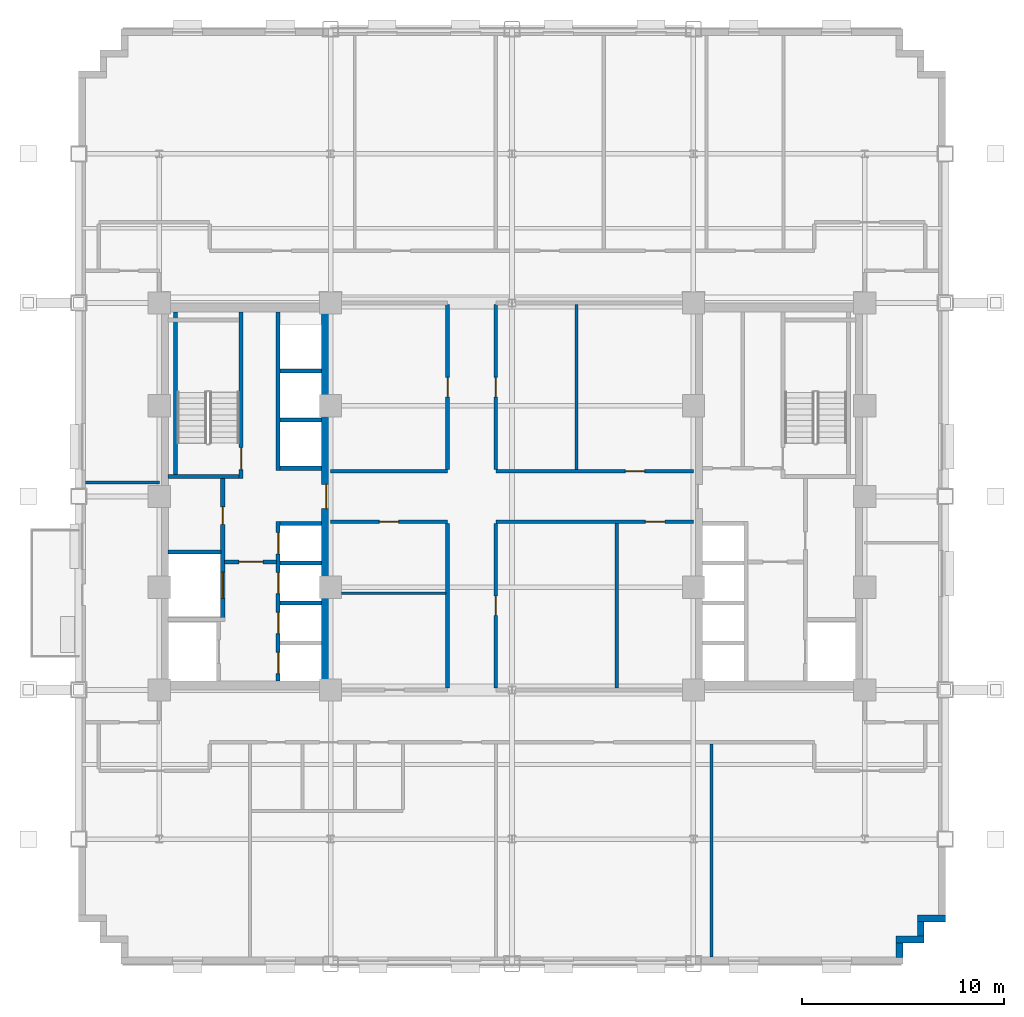
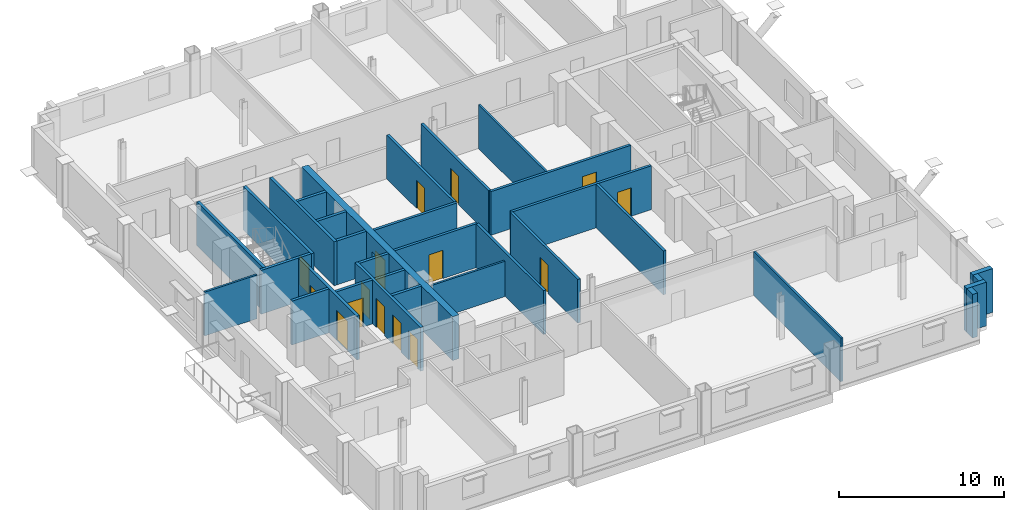
# One storey, part 7 of 13: 32 walls, 15 doors, 15 openings.
"""IFC4 building model written with IfcOpenShell, lengths in metres."""

from ifc_helpers import new_model, si_unit, direction, frame, frame_2d, origin, place, context, subcontext, project, spatial, rectangle, extrude, source, transform, mapped, material, layer, layer_set, type_object, type_shapes, element, fill, save


model = new_model("IFC4")

# Units and contexts
model_context = context("Model", 3, precision=1e-05, world=origin(), true_north=direction((0.0, 1.0)))
body_context = subcontext(model_context, "Body", "Model", "MODEL_VIEW")
ifc_project = project(units=[si_unit("LENGTHUNIT", "METRE"), si_unit("AREAUNIT", "SQUARE_METRE"), si_unit("VOLUMEUNIT", "CUBIC_METRE"), si_unit("PLANEANGLEUNIT", "RADIAN"), si_unit("MASSUNIT", "GRAM", prefix="KILO")], contexts=[model_context])

# Site, building, storey
site_placement = place(None, origin())
site = spatial("IfcSite", under=ifc_project, at=site_placement, CompositionType="ELEMENT")
building_placement = place(site_placement, origin())
building = spatial("IfcBuilding", under=site, at=building_placement, Name="Nuvemarco Arch Tower", CompositionType="ELEMENT")
storey_placement = place(building_placement, frame((0.0, 0.0, 82.35009765625)))
storey = spatial("IfcBuildingStorey", under=building, at=storey_placement, Name="L21", CompositionType="ELEMENT", Elevation=82.35009765625)

# Walls
ifc_material_1 = material(Name="Precast concrete C45/55", Category="concrete")
ifc_layer_1 = layer(ifc_material_1, 0.340087890625, Name="EW-LOW-340")
ifc_layer_set_1 = layer_set([ifc_layer_1], Name="Precast concrete C45/55")
wall_type_1 = type_object("IfcWallType", Name="EW-LOW-340", PredefinedType="STANDARD", material=ifc_layer_set_1)
wall_1_placement = place(storey_placement, frame((19.22998046875, -22.864013671875, 0.0), z_axis=(0.0, 0.0, 1.0), x_axis=(0.0, 1.0, 0.0)))
element("IfcWall", 1, at=wall_1_placement, inside=storey, type_object=wall_type_1, Name="L21 exterior precast facade wall 2", PredefinedType="STANDARD", context=body_context, shape_type="SweptSolid", body=[
    extrude(rectangle(XDim=0.718017578125, YDim=0.340087890625, at=frame_2d((0.35888671875, 0.0))), origin(), (0.0, 0.0, 1.0), 3.239990234375),
])
wall_2_placement = place(storey_placement, frame((19.06005859375, -21.97998046875, 0.0), z_axis=(0.0, 0.0, 1.0), x_axis=(1.0, 0.0, 0.0)))
element("IfcWall", 2, at=wall_2_placement, inside=storey, type_object=wall_type_1, Name="L21 exterior precast facade wall 3", PredefinedType="STANDARD", context=body_context, shape_type="SweptSolid", body=[
    extrude(rectangle(XDim=1.389892578125, YDim=0.340087890625, at=frame_2d((0.69482421875, 0.0))), origin(), (0.0, 0.0, 1.0), 3.239990234375),
])
wall_3_placement = place(storey_placement, frame((20.280029296875, -21.81396484375, 0.0), z_axis=(0.0, 0.0, 1.0), x_axis=(0.0, 1.0, 0.0)))
element("IfcWall", 3, at=wall_3_placement, inside=storey, type_object=wall_type_1, Name="L21 exterior precast facade wall 4", PredefinedType="STANDARD", context=body_context, shape_type="SweptSolid", body=[
    extrude(rectangle(XDim=0.718017578125, YDim=0.340087890625, at=frame_2d((0.35888671875, 0.0))), origin(), (0.0, 0.0, 1.0), 3.239990234375),
])
wall_4_placement = place(storey_placement, frame((20.110107421875, -20.929931640625, 0.0), z_axis=(0.0, 0.0, 1.0), x_axis=(1.0, 0.0, 0.0)))
element("IfcWall", 4, at=wall_4_placement, inside=storey, type_object=wall_type_1, Name="L21 exterior precast facade wall 5", PredefinedType="STANDARD", context=body_context, shape_type="SweptSolid", body=[
    extrude(rectangle(XDim=1.389892578125, YDim=0.340087890625, at=frame_2d((0.69482421875, 0.0))), origin(), (0.0, 0.0, 1.0), 3.239990234375),
])

# Wall, opening, door
ifc_material_2 = material(Name="Concrete C60/75", Category="concrete")
ifc_layer_2 = layer(ifc_material_2, 0.449951171875, Name="WL-CORE-450")
ifc_layer_set_2 = layer_set([ifc_layer_2], Name="Concrete C60/75")
wall_type_2 = type_object("IfcWallType", Name="WL-CORE-450", PredefinedType="SHEAR", material=ifc_layer_set_2)
wall_5_placement = place(storey_placement, frame((-9.22509765625, -9.155029296875, 0.0), z_axis=(0.0, 0.0, 1.0), x_axis=(0.0, 1.0, 0.0)))
wall_5 = element("IfcWall", 5, at=wall_5_placement, inside=storey, type_object=wall_type_2, Name="L21 W-core shear wall E", PredefinedType="SHEAR", context=body_context, shape_type="SweptSolid", body=[
    extrude(rectangle(XDim=18.31005859375, YDim=0.449951171875, at=frame_2d((9.155029296875, 0.0))), origin(), (0.0, 0.0, 1.0), 3.25),
])
opening_1_placement = place(wall_5_placement, frame((8.554931640625, 0.0, 0.0)))
opening_1 = element("IfcOpeningElement", 6, at=opening_1_placement, cuts=wall_5, Name="Opening FD-2", PredefinedType="OPENING", context=body_context, shape_type="SweptSolid", body=[
    extrude(rectangle(XDim=1.199951171875, YDim=2.14990234375, at=frame_2d((0.60009765625, 1.074951171875))), frame((0.0, 0.23486328125, 0.0), z_axis=(0.0, -1.0, 0.0), x_axis=(1.0, 0.0, 0.0)), (0.0, 0.0, 1.0), 0.469970703125),
])
ifc_material_3 = material(Name="Anodised steel fire door", Category="steel")
door_type_1 = type_object("IfcDoorType", Name="DR-FFLOB-FD", OperationType="NOTDEFINED", PredefinedType="DOOR", material=ifc_material_3)
shared_shape_1 = source(origin(), body_context, "Body", "SweptSolid", [
    extrude(rectangle(XDim=1.199951171875, YDim=2.14990234375, at=frame_2d((0.60009765625, 1.074951171875))), frame((0.0, 0.02490234375, 0.0), z_axis=(0.0, -1.0, 0.0), x_axis=(1.0, 0.0, 0.0)), (0.0, 0.0, 1.0), 0.050048828125),
])
type_shapes(door_type_1, [shared_shape_1])
door_1_placement = place(opening_1_placement, origin())
door_1 = element("IfcDoor", 7, at=door_1_placement, inside=storey, type_object=door_type_1, Name="L21 door FD-L21-WCORE-E", OperationType="SINGLE_SWING_LEFT", OverallHeight=2.14990234375, OverallWidth=1.199951171875, PredefinedType="DOOR", context=body_context, shape_type="MappedRepresentation", body=[
    mapped(shared_shape_1, transform((0.0, 0.0, 0.0), scale=1.0)),
])
fill(opening_1, door_1)

ifc_material_4 = material(Name="Fire-rated gypsum drywall partition")
ifc_layer_3 = layer(ifc_material_4, 0.179931640625, Name="WL-CORR-180")
ifc_layer_set_3 = layer_set([ifc_layer_3], Name="Fire-rated gypsum drywall partition")
wall_type_3 = type_object("IfcWallType", Name="WL-CORR-180", PredefinedType="PARTITIONING", material=ifc_layer_set_3)
wall_6_placement = place(storey_placement, frame((-9.0, -1.25, 0.0), z_axis=(0.0, 0.0, 1.0), x_axis=(1.0, 0.0, 0.0)))
wall_6 = element("IfcWall", 8, at=wall_6_placement, inside=storey, type_object=wall_type_3, Name="L21 interior wall IW-L21-012", PredefinedType="PARTITIONING", context=body_context, shape_type="SweptSolid", body=[
    extrude(rectangle(XDim=5.800048828125, YDim=0.179931640625, at=frame_2d((2.89990234375, 0.0))), origin(), (0.0, 0.0, 1.0), 3.239990234375),
])
opening_2_placement = place(wall_6_placement, frame((2.419921875, 0.0, 0.0)))
opening_2 = element("IfcOpeningElement", 9, at=opening_2_placement, cuts=wall_6, Name="Opening FD-5", PredefinedType="OPENING", context=body_context, shape_type="SweptSolid", body=[
    extrude(rectangle(XDim=0.9599609375, YDim=2.10009765625, at=frame_2d((0.47998046875, 1.050048828125))), frame((0.0, 0.099853515625, 0.0), z_axis=(0.0, -1.0, 0.0), x_axis=(1.0, 0.0, 0.0)), (0.0, 0.0, 1.0), 0.199951171875),
])
ifc_material_5 = material(Name="Timber fire door", Category="wood")
door_type_2 = type_object("IfcDoorType", Name="DR-CORR-FD", OperationType="NOTDEFINED", PredefinedType="DOOR", material=ifc_material_5)
shared_shape_2 = source(origin(), body_context, "Body", "SweptSolid", [
    extrude(rectangle(XDim=0.9599609375, YDim=2.10009765625, at=frame_2d((0.47998046875, 1.050048828125))), frame((0.0, 0.02490234375, 0.0), z_axis=(0.0, -1.0, 0.0), x_axis=(1.0, 0.0, 0.0)), (0.0, 0.0, 1.0), 0.050048828125),
])
type_shapes(door_type_2, [shared_shape_2])
door_2_placement = place(opening_2_placement, origin())
door_2 = element("IfcDoor", 10, at=door_2_placement, inside=storey, type_object=door_type_2, Name="L21 door DR-L21-C_SW1", OperationType="SINGLE_SWING_RIGHT", OverallHeight=2.10009765625, OverallWidth=0.9599609375, PredefinedType="DOOR", context=body_context, shape_type="MappedRepresentation", body=[
    mapped(shared_shape_2, transform((0.0, 0.0, 0.0), scale=1.0)),
])
fill(opening_2, door_2)

wall_7_placement = place(storey_placement, frame((-0.800048828125, -1.25, 0.0), z_axis=(0.0, 0.0, 1.0), x_axis=(1.0, 0.0, 0.0)))
wall_7 = element("IfcWall", 11, at=wall_7_placement, inside=storey, type_object=wall_type_3, Name="L21 interior wall IW-L21-013", PredefinedType="PARTITIONING", context=body_context, shape_type="SweptSolid", body=[
    extrude(rectangle(XDim=9.800048828125, YDim=0.179931640625, at=frame_2d((4.89990234375, 0.0))), origin(), (0.0, 0.0, 1.0), 3.239990234375),
])
opening_3_placement = place(wall_7_placement, frame((7.419921875, 0.0, 0.0)))
opening_3 = element("IfcOpeningElement", 12, at=opening_3_placement, cuts=wall_7, Name="Opening FD-5", PredefinedType="OPENING", context=body_context, shape_type="SweptSolid", body=[
    extrude(rectangle(XDim=0.9599609375, YDim=2.10009765625, at=frame_2d((0.47998046875, 1.050048828125))), frame((0.0, 0.099853515625, 0.0), z_axis=(0.0, -1.0, 0.0), x_axis=(1.0, 0.0, 0.0)), (0.0, 0.0, 1.0), 0.199951171875),
])
door_3_placement = place(opening_3_placement, origin())
door_3 = element("IfcDoor", 13, at=door_3_placement, inside=storey, type_object=door_type_2, Name="L21 door DR-L21-C_SE2", OperationType="SINGLE_SWING_RIGHT", OverallHeight=2.10009765625, OverallWidth=0.9599609375, PredefinedType="DOOR", context=body_context, shape_type="MappedRepresentation", body=[
    mapped(shared_shape_2, transform((0.0, 0.0, 0.0), scale=1.0)),
])
fill(opening_3, door_3)

# Wall
wall_8_placement = place(storey_placement, frame((-9.0, 1.25, 0.0), z_axis=(0.0, 0.0, 1.0), x_axis=(1.0, 0.0, 0.0)))
element("IfcWall", 14, at=wall_8_placement, inside=storey, type_object=wall_type_3, Name="L21 interior wall IW-L21-015", PredefinedType="PARTITIONING", context=body_context, shape_type="SweptSolid", body=[
    extrude(rectangle(XDim=5.800048828125, YDim=0.179931640625, at=frame_2d((2.89990234375, 0.0))), origin(), (0.0, 0.0, 1.0), 3.239990234375),
])

# Wall, opening, door
wall_9_placement = place(storey_placement, frame((-0.800048828125, 1.25, 0.0), z_axis=(0.0, 0.0, 1.0), x_axis=(1.0, 0.0, 0.0)))
wall_9 = element("IfcWall", 15, at=wall_9_placement, inside=storey, type_object=wall_type_3, Name="L21 interior wall IW-L21-016", PredefinedType="PARTITIONING", context=body_context, shape_type="SweptSolid", body=[
    extrude(rectangle(XDim=9.800048828125, YDim=0.179931640625, at=frame_2d((4.89990234375, 0.0))), origin(), (0.0, 0.0, 1.0), 3.239990234375),
])
opening_4_placement = place(wall_9_placement, frame((6.419921875, 0.0, 0.0)))
opening_4 = element("IfcOpeningElement", 16, at=opening_4_placement, cuts=wall_9, Name="Opening FD-5", PredefinedType="OPENING", context=body_context, shape_type="SweptSolid", body=[
    extrude(rectangle(XDim=0.9599609375, YDim=2.10009765625, at=frame_2d((0.47998046875, 1.050048828125))), frame((0.0, 0.099853515625, 0.0), z_axis=(0.0, -1.0, 0.0), x_axis=(1.0, 0.0, 0.0)), (0.0, 0.0, 1.0), 0.199951171875),
])
door_4_placement = place(opening_4_placement, origin())
door_4 = element("IfcDoor", 17, at=door_4_placement, inside=storey, type_object=door_type_2, Name="L21 door DR-L21-C_NE2", OperationType="SINGLE_SWING_LEFT", OverallHeight=2.10009765625, OverallWidth=0.9599609375, PredefinedType="DOOR", context=body_context, shape_type="MappedRepresentation", body=[
    mapped(shared_shape_2, transform((0.0, 0.0, 0.0), scale=1.0)),
])
fill(opening_4, door_4)

# Wall
wall_10_placement = place(storey_placement, frame((-3.199951171875, -9.513916015625, 0.0), z_axis=(0.0, 0.0, 1.0), x_axis=(0.0, 1.0, 0.0)))
element("IfcWall", 18, at=wall_10_placement, inside=storey, type_object=wall_type_3, Name="L21 interior wall IW-L21-036", PredefinedType="PARTITIONING", context=body_context, shape_type="SweptSolid", body=[
    extrude(rectangle(XDim=8.177978515625, YDim=0.179931640625, at=frame_2d((4.0888671875, 0.0))), origin(), (0.0, 0.0, 1.0), 3.239990234375),
])

# Wall, opening, door
wall_11_placement = place(storey_placement, frame((-3.199951171875, 1.3359375, 0.0), z_axis=(0.0, 0.0, 1.0), x_axis=(0.0, 1.0, 0.0)))
wall_11 = element("IfcWall", 19, at=wall_11_placement, inside=storey, type_object=wall_type_3, Name="L21 interior wall IW-L21-037", PredefinedType="PARTITIONING", context=body_context, shape_type="SweptSolid", body=[
    extrude(rectangle(XDim=8.177978515625, YDim=0.179931640625, at=frame_2d((4.0888671875, 0.0))), origin(), (0.0, 0.0, 1.0), 3.239990234375),
])
opening_5_placement = place(wall_11_placement, frame((3.60888671875, 0.0, 0.0)))
opening_5 = element("IfcOpeningElement", 20, at=opening_5_placement, cuts=wall_11, Name="Opening FD-5", PredefinedType="OPENING", context=body_context, shape_type="SweptSolid", body=[
    extrude(rectangle(XDim=0.9599609375, YDim=2.10009765625, at=frame_2d((0.47998046875, 1.050048828125))), frame((0.0, 0.099853515625, 0.0), z_axis=(0.0, -1.0, 0.0), x_axis=(1.0, 0.0, 0.0)), (0.0, 0.0, 1.0), 0.199951171875),
])
door_5_placement = place(opening_5_placement, origin())
door_5 = element("IfcDoor", 21, at=door_5_placement, inside=storey, type_object=door_type_2, Name="L21 door DR-L21-C_NW", OperationType="SINGLE_SWING_RIGHT", OverallHeight=2.10009765625, OverallWidth=0.9599609375, PredefinedType="DOOR", context=body_context, shape_type="MappedRepresentation", body=[
    mapped(shared_shape_2, transform((0.0, 0.0, 0.0), scale=1.0)),
])
fill(opening_5, door_5)

wall_12_placement = place(storey_placement, frame((-0.800048828125, -9.513916015625, 0.0), z_axis=(0.0, 0.0, 1.0), x_axis=(0.0, 1.0, 0.0)))
wall_12 = element("IfcWall", 22, at=wall_12_placement, inside=storey, type_object=wall_type_3, Name="L21 interior wall IW-L21-039", PredefinedType="PARTITIONING", context=body_context, shape_type="SweptSolid", body=[
    extrude(rectangle(XDim=8.177978515625, YDim=0.179931640625, at=frame_2d((4.0888671875, 0.0))), origin(), (0.0, 0.0, 1.0), 3.239990234375),
])
opening_6_placement = place(wall_12_placement, frame((3.60888671875, 0.0, 0.0)))
opening_6 = element("IfcOpeningElement", 23, at=opening_6_placement, cuts=wall_12, Name="Opening FD-5", PredefinedType="OPENING", context=body_context, shape_type="SweptSolid", body=[
    extrude(rectangle(XDim=0.9599609375, YDim=2.10009765625, at=frame_2d((0.47998046875, 1.050048828125))), frame((0.0, 0.099853515625, 0.0), z_axis=(0.0, -1.0, 0.0), x_axis=(1.0, 0.0, 0.0)), (0.0, 0.0, 1.0), 0.199951171875),
])
door_6_placement = place(opening_6_placement, origin())
door_6 = element("IfcDoor", 24, at=door_6_placement, inside=storey, type_object=door_type_2, Name="L21 door DR-L21-C_SE1", OperationType="SINGLE_SWING_RIGHT", OverallHeight=2.10009765625, OverallWidth=0.9599609375, PredefinedType="DOOR", context=body_context, shape_type="MappedRepresentation", body=[
    mapped(shared_shape_2, transform((0.0, 0.0, 0.0), scale=1.0)),
])
fill(opening_6, door_6)

wall_13_placement = place(storey_placement, frame((-0.800048828125, 1.3359375, 0.0), z_axis=(0.0, 0.0, 1.0), x_axis=(0.0, 1.0, 0.0)))
wall_13 = element("IfcWall", 25, at=wall_13_placement, inside=storey, type_object=wall_type_3, Name="L21 interior wall IW-L21-040", PredefinedType="PARTITIONING", context=body_context, shape_type="SweptSolid", body=[
    extrude(rectangle(XDim=8.177978515625, YDim=0.179931640625, at=frame_2d((4.0888671875, 0.0))), origin(), (0.0, 0.0, 1.0), 3.239990234375),
])
opening_7_placement = place(wall_13_placement, frame((3.60888671875, 0.0, 0.0)))
opening_7 = element("IfcOpeningElement", 26, at=opening_7_placement, cuts=wall_13, Name="Opening FD-5", PredefinedType="OPENING", context=body_context, shape_type="SweptSolid", body=[
    extrude(rectangle(XDim=0.9599609375, YDim=2.10009765625, at=frame_2d((0.47998046875, 1.050048828125))), frame((0.0, 0.099853515625, 0.0), z_axis=(0.0, -1.0, 0.0), x_axis=(1.0, 0.0, 0.0)), (0.0, 0.0, 1.0), 0.199951171875),
])
door_7_placement = place(opening_7_placement, origin())
door_7 = element("IfcDoor", 27, at=door_7_placement, inside=storey, type_object=door_type_2, Name="L21 door DR-L21-C_NE1", OperationType="SINGLE_SWING_LEFT", OverallHeight=2.10009765625, OverallWidth=0.9599609375, PredefinedType="DOOR", context=body_context, shape_type="MappedRepresentation", body=[
    mapped(shared_shape_2, transform((0.0, 0.0, 0.0), scale=1.0)),
])
fill(opening_7, door_7)

# Walls
wall_14_placement = place(storey_placement, frame((5.199951171875, -9.513916015625, 0.0), z_axis=(0.0, 0.0, 1.0), x_axis=(0.0, 1.0, 0.0)))
element("IfcWall", 28, at=wall_14_placement, inside=storey, type_object=wall_type_3, Name="L21 interior wall IW-L21-044", PredefinedType="PARTITIONING", context=body_context, shape_type="SweptSolid", body=[
    extrude(rectangle(XDim=8.177978515625, YDim=0.179931640625, at=frame_2d((4.0888671875, 0.0))), origin(), (0.0, 0.0, 1.0), 3.239990234375),
])
ifc_material_6 = material(Name="Gypsum plasterboard partition")
ifc_layer_4 = layer(ifc_material_6, 0.139892578125, Name="WL-ROOM-140")
ifc_layer_set_4 = layer_set([ifc_layer_4], Name="Gypsum plasterboard partition")
wall_type_4 = type_object("IfcWallType", Name="WL-ROOM-140", PredefinedType="PARTITIONING", material=ifc_layer_set_4)
wall_15_placement = place(storey_placement, frame((-8.4541015625, -4.800048828125, 0.0), z_axis=(0.0, 0.0, 1.0), x_axis=(1.0, 0.0, 0.0)))
element("IfcWall", 29, at=wall_15_placement, inside=storey, type_object=wall_type_4, Name="L21 interior wall IW-L21-010", PredefinedType="PARTITIONING", context=body_context, shape_type="SweptSolid", body=[
    extrude(rectangle(XDim=5.168212890625, YDim=0.139892578125, at=frame_2d((2.583984375, 0.0))), origin(), (0.0, 0.0, 1.0), 2.617919921875),
])
wall_16_placement = place(storey_placement, frame((-21.159912109375, 0.699951171875, 0.0), z_axis=(0.0, 0.0, 1.0), x_axis=(1.0, 0.0, 0.0)))
element("IfcWall", 30, at=wall_16_placement, inside=storey, type_object=wall_type_4, Name="L21 interior wall IW-L21-014", PredefinedType="PARTITIONING", context=body_context, shape_type="SweptSolid", body=[
    extrude(rectangle(XDim=3.659912109375, YDim=0.139892578125, at=frame_2d((1.830078125, 0.0))), origin(), (0.0, 0.0, 1.0), 3.239990234375),
])
wall_17_placement = place(storey_placement, frame((3.199951171875, 1.3359375, 0.0), z_axis=(0.0, 0.0, 1.0), x_axis=(0.0, 1.0, 0.0)))
element("IfcWall", 31, at=wall_17_placement, inside=storey, type_object=wall_type_4, Name="L21 interior wall IW-L21-042", PredefinedType="PARTITIONING", context=body_context, shape_type="SweptSolid", body=[
    extrude(rectangle(XDim=8.177978515625, YDim=0.139892578125, at=frame_2d((4.0888671875, 0.0))), origin(), (0.0, 0.0, 1.0), 3.239990234375),
])
wall_18_placement = place(storey_placement, frame((9.89990234375, -22.860107421875, 0.0), z_axis=(0.0, 0.0, 1.0), x_axis=(0.0, 1.0, 0.0)))
element("IfcWall", 32, at=wall_18_placement, inside=storey, type_object=wall_type_4, Name="L21 interior wall IW-L21-046", PredefinedType="PARTITIONING", context=body_context, shape_type="SweptSolid", body=[
    extrude(rectangle(XDim=10.57421875, YDim=0.139892578125, at=frame_2d((5.287109375, 0.0))), origin(), (0.0, 0.0, 1.0), 3.239990234375),
])

# Wall, opening, door
ifc_material_7 = material(Name="Concrete C50/60", Category="concrete")
ifc_layer_5 = layer(ifc_material_7, 0.199951171875, Name="WL-SHAFT-220")
ifc_layer_set_5 = layer_set([ifc_layer_5], Name="Concrete C50/60")
wall_type_5 = type_object("IfcWallType", Name="WL-SHAFT-220", PredefinedType="SHEAR", material=ifc_layer_set_5)
wall_19_placement = place(storey_placement, frame((-13.43994140625, 0.89990234375, 0.0), z_axis=(0.0, 0.0, 1.0), x_axis=(0.0, 1.0, 0.0)))
wall_19 = element("IfcWall", 33, at=wall_19_placement, inside=storey, type_object=wall_type_5, Name="L21 structural shaft wall SW-L21-W-ST1E", PredefinedType="SHEAR", context=body_context, shape_type="SweptSolid", body=[
    extrude(rectangle(XDim=8.255126953125, YDim=0.199951171875, at=frame_2d((4.12744140625, 0.0))), origin(), (0.0, 0.0, 1.0), 3.25),
])
opening_8_placement = place(wall_19_placement, frame((1.530029296875, 0.0, 0.0), z_axis=(0.0, 0.0, 1.0), x_axis=(-1.0, 0.0, 0.0)))
opening_8 = element("IfcOpeningElement", 34, at=opening_8_placement, cuts=wall_19, Name="Opening FD-1", PredefinedType="OPENING", context=body_context, shape_type="SweptSolid", body=[
    extrude(rectangle(XDim=1.10009765625, YDim=2.14990234375, at=frame_2d((0.550048828125, 1.074951171875))), frame((0.0, 0.10986328125, 0.0), z_axis=(0.0, -1.0, 0.0), x_axis=(1.0, 0.0, 0.0)), (0.0, 0.0, 1.0), 0.219970703125),
])
door_type_3 = type_object("IfcDoorType", Name="DR-STAIR-FD", OperationType="NOTDEFINED", PredefinedType="DOOR", material=ifc_material_3)
shared_shape_3 = source(origin(), body_context, "Body", "SweptSolid", [
    extrude(rectangle(XDim=1.10009765625, YDim=2.14990234375, at=frame_2d((0.550048828125, 1.074951171875))), frame((0.0, 0.02490234375, 0.0), z_axis=(0.0, -1.0, 0.0), x_axis=(1.0, 0.0, 0.0)), (0.0, 0.0, 1.0), 0.050048828125),
])
type_shapes(door_type_3, [shared_shape_3])
door_8_placement = place(opening_8_placement, origin())
door_8 = element("IfcDoor", 35, at=door_8_placement, inside=storey, type_object=door_type_3, Name="L21 door FD-L21-ST1", OperationType="SINGLE_SWING_LEFT", OverallHeight=2.14990234375, OverallWidth=1.10009765625, PredefinedType="DOOR", context=body_context, shape_type="MappedRepresentation", body=[
    mapped(shared_shape_3, transform((0.0, 0.0, 0.0), scale=1.0)),
])
fill(opening_8, door_8)

# Walls
wall_20_placement = place(storey_placement, frame((-17.054931640625, 1.0, 0.0), z_axis=(0.0, 0.0, 1.0), x_axis=(1.0, 0.0, 0.0)))
element("IfcWall", 36, at=wall_20_placement, inside=storey, type_object=wall_type_5, Name="L21 structural shaft wall SW-L21-W-ST1S", PredefinedType="SHEAR", context=body_context, shape_type="SweptSolid", body=[
    extrude(rectangle(XDim=3.52001953125, YDim=0.199951171875, at=frame_2d((1.760009765625, 0.0))), origin(), (0.0, 0.0, 1.0), 3.25),
])
wall_21_placement = place(storey_placement, frame((-16.699951171875, 1.094970703125, 0.0), z_axis=(0.0, 0.0, 1.0), x_axis=(0.0, 1.0, 0.0)))
element("IfcWall", 37, at=wall_21_placement, inside=storey, type_object=wall_type_5, Name="L21 structural shaft wall SW-L21-W-ST1W", PredefinedType="SHEAR", context=body_context, shape_type="SweptSolid", body=[
    extrude(rectangle(XDim=8.06005859375, YDim=0.199951171875, at=frame_2d((4.030029296875, 0.0))), origin(), (0.0, 0.0, 1.0), 3.25),
])

# Wall, openings, doors
wall_22_placement = place(storey_placement, frame((-14.35009765625, -6.199951171875, 0.0), z_axis=(0.0, 0.0, 1.0), x_axis=(0.0, 1.0, 0.0)))
wall_22 = element("IfcWall", 38, at=wall_22_placement, inside=storey, type_object=wall_type_5, Name="L21 structural shaft wall SW-L21-W-SVE", PredefinedType="SHEAR", context=body_context, shape_type="SweptSolid", body=[
    extrude(rectangle(XDim=7.10498046875, YDim=0.199951171875, at=frame_2d((3.552490234375, 0.0))), origin(), (0.0, 0.0, 1.0), 3.25),
])
opening_9_placement = place(wall_22_placement, frame((5.68994140625, 0.0, 0.0), z_axis=(0.0, 0.0, 1.0), x_axis=(-1.0, 0.0, 0.0)))
opening_9 = element("IfcOpeningElement", 39, at=opening_9_placement, cuts=wall_22, Name="Opening FD-4", PredefinedType="OPENING", context=body_context, shape_type="SweptSolid", body=[
    extrude(rectangle(XDim=0.8798828125, YDim=2.10009765625, at=frame_2d((0.43994140625, 1.050048828125))), frame((0.0, 0.10986328125, 0.0), z_axis=(0.0, -1.0, 0.0), x_axis=(1.0, 0.0, 0.0)), (0.0, 0.0, 1.0), 0.219970703125),
])
opening_10_placement = place(wall_22_placement, frame((1.14990234375, 0.0, 0.0)))
opening_10 = element("IfcOpeningElement", 40, at=opening_10_placement, cuts=wall_22, Name="Opening LD-3", PredefinedType="OPENING", context=body_context, shape_type="SweptSolid", body=[
    extrude(rectangle(XDim=1.300048828125, YDim=2.199951171875, at=frame_2d((0.64990234375, 1.10009765625))), frame((0.0, 0.10986328125, 0.0), z_axis=(0.0, -1.0, 0.0), x_axis=(1.0, 0.0, 0.0)), (0.0, 0.0, 1.0), 0.219970703125),
])
door_type_4 = type_object("IfcDoorType", Name="DR-RISER-FD", OperationType="NOTDEFINED", PredefinedType="DOOR", material=ifc_material_3)
shared_shape_4 = source(origin(), body_context, "Body", "SweptSolid", [
    extrude(rectangle(XDim=0.8798828125, YDim=2.10009765625, at=frame_2d((0.43994140625, 1.050048828125))), frame((0.0, 0.02490234375, 0.0), z_axis=(0.0, -1.0, 0.0), x_axis=(1.0, 0.0, 0.0)), (0.0, 0.0, 1.0), 0.050048828125),
])
type_shapes(door_type_4, [shared_shape_4])
door_9_placement = place(opening_9_placement, origin())
door_9 = element("IfcDoor", 41, at=door_9_placement, inside=storey, type_object=door_type_4, Name="L21 door FD-L21-WRIS", OperationType="SINGLE_SWING_LEFT", OverallHeight=2.10009765625, OverallWidth=0.8798828125, PredefinedType="DOOR", context=body_context, shape_type="MappedRepresentation", body=[
    mapped(shared_shape_4, transform((0.0, 0.0, 0.0), scale=1.0)),
])
fill(opening_9, door_9)
ifc_material_8 = material(Name="Stainless steel lift door", Category="steel")
door_type_5 = type_object("IfcDoorType", Name="DR-LIFT-SERV", OperationType="DOUBLE_DOOR_SLIDING", PredefinedType="DOOR", material=ifc_material_8)
shared_shape_5 = source(origin(), body_context, "Body", "SweptSolid", [
    extrude(rectangle(XDim=1.300048828125, YDim=2.199951171875, at=frame_2d((0.64990234375, 1.10009765625))), frame((0.0, 0.02490234375, 0.0), z_axis=(0.0, -1.0, 0.0), x_axis=(1.0, 0.0, 0.0)), (0.0, 0.0, 1.0), 0.050048828125),
])
type_shapes(door_type_5, [shared_shape_5])
door_10_placement = place(opening_10_placement, origin())
door_10 = element("IfcDoor", 42, at=door_10_placement, inside=storey, type_object=door_type_5, Name="L21 Lift landing sliding door SVL-1", OperationType="DOUBLE_DOOR_SLIDING", OverallHeight=2.199951171875, OverallWidth=1.300048828125, PredefinedType="DOOR", context=body_context, shape_type="MappedRepresentation", body=[
    mapped(shared_shape_5, transform((0.0, 0.0, 0.0), scale=1.0)),
])
fill(opening_10, door_10)

# Wall
wall_23_placement = place(storey_placement, frame((-17.054931640625, -2.75, 0.0), z_axis=(0.0, 0.0, 1.0), x_axis=(1.0, 0.0, 0.0)))
element("IfcWall", 43, at=wall_23_placement, inside=storey, type_object=wall_type_5, Name="L21 structural shaft wall SW-L21-W-SH2", PredefinedType="SHEAR", context=body_context, shape_type="SweptSolid", body=[
    extrude(rectangle(XDim=2.60986328125, YDim=0.199951171875, at=frame_2d((1.304931640625, 0.0))), origin(), (0.0, 0.0, 1.0), 3.25),
])

# Wall, openings, doors
wall_24_placement = place(storey_placement, frame((-11.60009765625, -9.155029296875, 0.0), z_axis=(0.0, 0.0, 1.0), x_axis=(0.0, 1.0, 0.0)))
wall_24 = element("IfcWall", 44, at=wall_24_placement, inside=storey, type_object=wall_type_5, Name="L21 structural shaft wall SW-L21-W-PLW", PredefinedType="SHEAR", context=body_context, shape_type="SweptSolid", body=[
    extrude(rectangle(XDim=7.925048828125, YDim=0.199951171875, at=frame_2d((3.96240234375, 0.0))), origin(), (0.0, 0.0, 1.0), 3.25),
])
opening_11_placement = place(wall_24_placement, frame((0.3701171875, 0.0, 0.0)))
opening_11 = element("IfcOpeningElement", 45, at=opening_11_placement, cuts=wall_24, Name="Opening LD-1", PredefinedType="OPENING", context=body_context, shape_type="SweptSolid", body=[
    extrude(rectangle(XDim=1.050048828125, YDim=2.14990234375, at=frame_2d((0.52490234375, 1.074951171875))), frame((0.0, 0.10986328125, 0.0), z_axis=(0.0, -1.0, 0.0), x_axis=(1.0, 0.0, 0.0)), (0.0, 0.0, 1.0), 0.219970703125),
])
opening_12_placement = place(wall_24_placement, frame((2.35009765625, 0.0, 0.0)))
opening_12 = element("IfcOpeningElement", 46, at=opening_12_placement, cuts=wall_24, Name="Opening LD-1", PredefinedType="OPENING", context=body_context, shape_type="SweptSolid", body=[
    extrude(rectangle(XDim=1.050048828125, YDim=2.14990234375, at=frame_2d((0.52490234375, 1.074951171875))), frame((0.0, 0.10986328125, 0.0), z_axis=(0.0, -1.0, 0.0), x_axis=(1.0, 0.0, 0.0)), (0.0, 0.0, 1.0), 0.219970703125),
])
opening_13_placement = place(wall_24_placement, frame((4.330078125, 0.0, 0.0)))
opening_13 = element("IfcOpeningElement", 47, at=opening_13_placement, cuts=wall_24, Name="Opening LD-1", PredefinedType="OPENING", context=body_context, shape_type="SweptSolid", body=[
    extrude(rectangle(XDim=1.050048828125, YDim=2.14990234375, at=frame_2d((0.52490234375, 1.074951171875))), frame((0.0, 0.10986328125, 0.0), z_axis=(0.0, -1.0, 0.0), x_axis=(1.0, 0.0, 0.0)), (0.0, 0.0, 1.0), 0.219970703125),
])
opening_14_placement = place(wall_24_placement, frame((6.31005859375, 0.0, 0.0)))
opening_14 = element("IfcOpeningElement", 48, at=opening_14_placement, cuts=wall_24, Name="Opening LD-1", PredefinedType="OPENING", context=body_context, shape_type="SweptSolid", body=[
    extrude(rectangle(XDim=1.050048828125, YDim=2.14990234375, at=frame_2d((0.52490234375, 1.074951171875))), frame((0.0, 0.10986328125, 0.0), z_axis=(0.0, -1.0, 0.0), x_axis=(1.0, 0.0, 0.0)), (0.0, 0.0, 1.0), 0.219970703125),
])
door_type_6 = type_object("IfcDoorType", Name="DR-LIFT-PASS", OperationType="DOUBLE_DOOR_SLIDING", PredefinedType="DOOR", material=ifc_material_8)
shared_shape_6 = source(origin(), body_context, "Body", "SweptSolid", [
    extrude(rectangle(XDim=1.050048828125, YDim=2.14990234375, at=frame_2d((0.52490234375, 1.074951171875))), frame((0.0, 0.02490234375, 0.0), z_axis=(0.0, -1.0, 0.0), x_axis=(1.0, 0.0, 0.0)), (0.0, 0.0, 1.0), 0.050048828125),
])
type_shapes(door_type_6, [shared_shape_6])
door_11_placement = place(opening_11_placement, origin())
door_11 = element("IfcDoor", 49, at=door_11_placement, inside=storey, type_object=door_type_6, Name="L21 Lift landing sliding door PL-1", OperationType="DOUBLE_DOOR_SLIDING", OverallHeight=2.14990234375, OverallWidth=1.050048828125, PredefinedType="DOOR", context=body_context, shape_type="MappedRepresentation", body=[
    mapped(shared_shape_6, transform((0.0, 0.0, 0.0), scale=1.0)),
])
fill(opening_11, door_11)
door_12_placement = place(opening_12_placement, origin())
door_12 = element("IfcDoor", 50, at=door_12_placement, inside=storey, type_object=door_type_6, Name="L21 Lift landing sliding door PL-2", OperationType="DOUBLE_DOOR_SLIDING", OverallHeight=2.14990234375, OverallWidth=1.050048828125, PredefinedType="DOOR", context=body_context, shape_type="MappedRepresentation", body=[
    mapped(shared_shape_6, transform((0.0, 0.0, 0.0), scale=1.0)),
])
fill(opening_12, door_12)
door_13_placement = place(opening_13_placement, origin())
door_13 = element("IfcDoor", 51, at=door_13_placement, inside=storey, type_object=door_type_6, Name="L21 Lift landing sliding door PL-3", OperationType="DOUBLE_DOOR_SLIDING", OverallHeight=2.14990234375, OverallWidth=1.050048828125, PredefinedType="DOOR", context=body_context, shape_type="MappedRepresentation", body=[
    mapped(shared_shape_6, transform((0.0, 0.0, 0.0), scale=1.0)),
])
fill(opening_13, door_13)
door_14_placement = place(opening_14_placement, origin())
door_14 = element("IfcDoor", 52, at=door_14_placement, inside=storey, type_object=door_type_6, Name="L21 Lift landing sliding door PL-4", OperationType="DOUBLE_DOOR_SLIDING", OverallHeight=2.14990234375, OverallWidth=1.050048828125, PredefinedType="DOOR", context=body_context, shape_type="MappedRepresentation", body=[
    mapped(shared_shape_6, transform((0.0, 0.0, 0.0), scale=1.0)),
])
fill(opening_14, door_14)

# Wall, opening, door
wall_25_placement = place(storey_placement, frame((-14.2548828125, -3.25, 0.0), z_axis=(0.0, 0.0, 1.0), x_axis=(1.0, 0.0, 0.0)))
wall_25 = element("IfcWall", 53, at=wall_25_placement, inside=storey, type_object=wall_type_5, Name="L21 structural shaft wall SW-L21-W-FFN", PredefinedType="SHEAR", context=body_context, shape_type="SweptSolid", body=[
    extrude(rectangle(XDim=2.559814453125, YDim=0.199951171875, at=frame_2d((1.27978515625, 0.0))), origin(), (0.0, 0.0, 1.0), 3.25),
])
opening_15_placement = place(wall_25_placement, frame((0.705078125, 0.0, 0.0)))
opening_15 = element("IfcOpeningElement", 54, at=opening_15_placement, cuts=wall_25, Name="Opening FD-2", PredefinedType="OPENING", context=body_context, shape_type="SweptSolid", body=[
    extrude(rectangle(XDim=1.199951171875, YDim=2.14990234375, at=frame_2d((0.60009765625, 1.074951171875))), frame((0.0, 0.10986328125, 0.0), z_axis=(0.0, -1.0, 0.0), x_axis=(1.0, 0.0, 0.0)), (0.0, 0.0, 1.0), 0.219970703125),
])
door_15_placement = place(opening_15_placement, origin())
door_15 = element("IfcDoor", 55, at=door_15_placement, inside=storey, type_object=door_type_1, Name="L21 door FD-L21-WFF1", OperationType="SINGLE_SWING_LEFT", OverallHeight=2.14990234375, OverallWidth=1.199951171875, PredefinedType="DOOR", context=body_context, shape_type="MappedRepresentation", body=[
    mapped(shared_shape_1, transform((0.0, 0.0, 0.0), scale=1.0)),
])
fill(opening_15, door_15)

# Walls
for number, where, z_axis, x_axis, name in (
    (56, (-11.5048828125, -5.2900390625, 0.0), (0.0, 0.0, 1.0), (1.0, 0.0, 0.0), "L21 structural shaft wall SW-L21-W-PLD2"),
    (57, (-11.5048828125, -3.31005859375, 0.0), (0.0, 0.0, 1.0), (1.0, 0.0, 0.0), "L21 structural shaft wall SW-L21-W-PLD3"),
    (58, (-11.5048828125, -1.330078125, 0.0), (0.0, 0.0, 1.0), (1.0, 0.0, 0.0), "L21 structural shaft wall SW-L21-W-PLD4"),
):
    element("IfcWall", number, at=place(storey_placement, frame(where, z_axis=z_axis, x_axis=x_axis)), inside=storey, type_object=wall_type_5, Name=name, PredefinedType="SHEAR", context=body_context, shape_type="SweptSolid", body=[
        extrude(rectangle(XDim=2.059814453125, YDim=0.199951171875, at=frame_2d((1.02978515625, 0.0))), origin(), (0.0, 0.0, 1.0), 3.25),
    ])
wall_26_placement = place(storey_placement, frame((-11.60009765625, 1.300048828125, 0.0), z_axis=(0.0, 0.0, 1.0), x_axis=(0.0, 1.0, 0.0)))
element("IfcWall", 59, at=wall_26_placement, inside=storey, type_object=wall_type_5, Name="L21 structural shaft wall SW-L21-W-PHW", PredefinedType="SHEAR", context=body_context, shape_type="SweptSolid", body=[
    extrude(rectangle(XDim=7.85498046875, YDim=0.199951171875, at=frame_2d((3.927490234375, 0.0))), origin(), (0.0, 0.0, 1.0), 3.25),
])
for number, where, z_axis, x_axis, name in (
    (60, (-11.5048828125, 1.39990234375, 0.0), (0.0, 0.0, 1.0), (1.0, 0.0, 0.0), "L21 structural shaft wall SW-L21-W-PHD1"),
    (61, (-11.5048828125, 3.800048828125, 0.0), (0.0, 0.0, 1.0), (1.0, 0.0, 0.0), "L21 structural shaft wall SW-L21-W-PHD2"),
    (62, (-11.5048828125, 6.219970703125, 0.0), (0.0, 0.0, 1.0), (1.0, 0.0, 0.0), "L21 structural shaft wall SW-L21-W-PHD3"),
):
    element("IfcWall", number, at=place(storey_placement, frame(where, z_axis=z_axis, x_axis=x_axis)), inside=storey, type_object=wall_type_5, Name=name, PredefinedType="SHEAR", context=body_context, shape_type="SweptSolid", body=[
        extrude(rectangle(XDim=2.059814453125, YDim=0.199951171875, at=frame_2d((1.02978515625, 0.0))), origin(), (0.0, 0.0, 1.0), 3.25),
    ])

save(model, "model.ifc")
